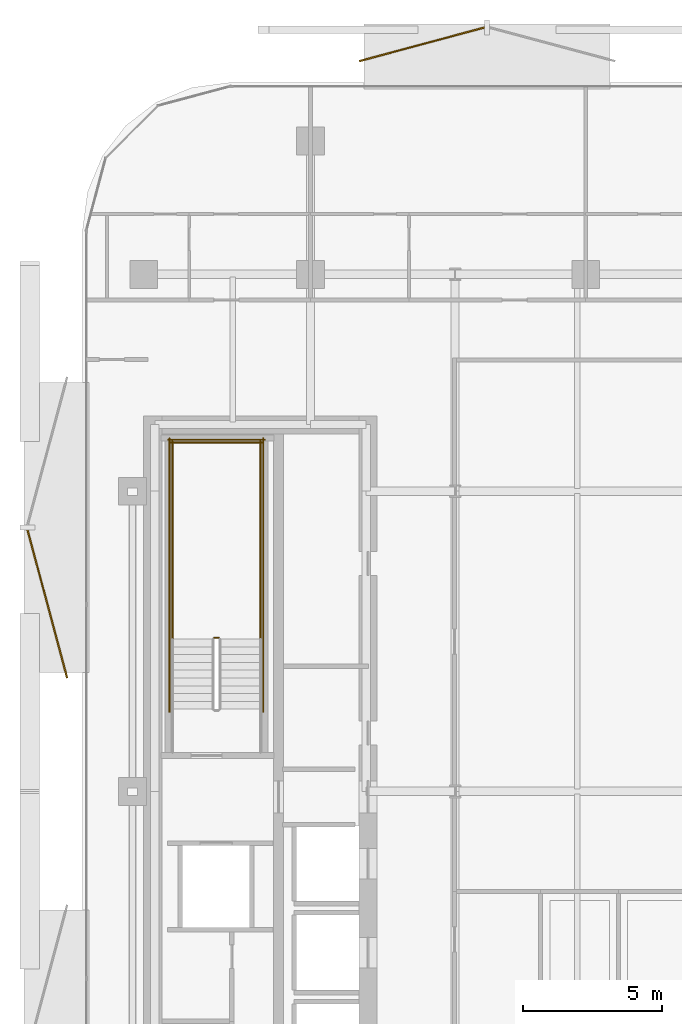
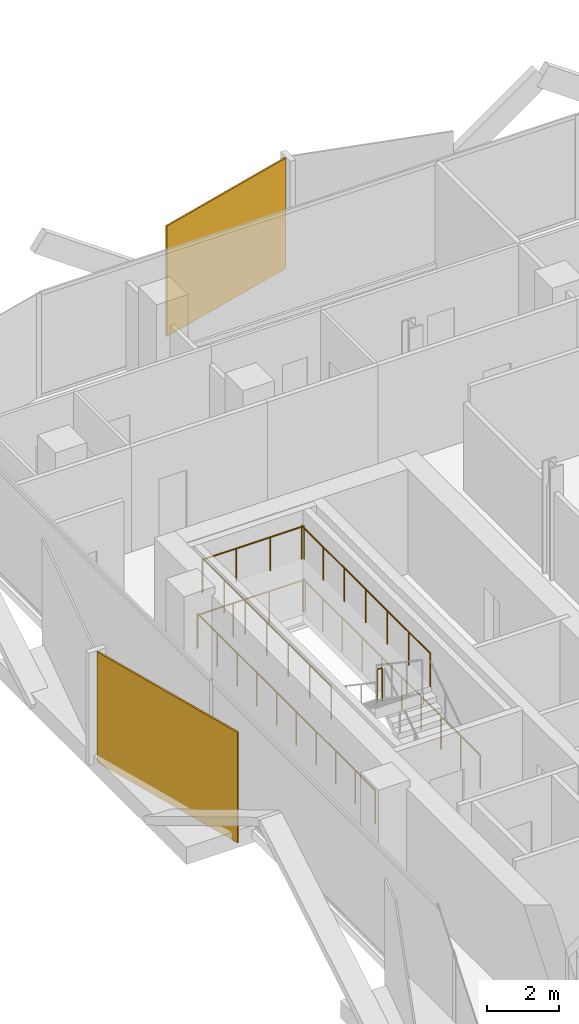
# One storey, part 16 of 17: 7 railings, 2 coverings.
"""IFC4 building model written with IfcOpenShell, lengths in metres."""

from ifc_helpers import new_model, si_unit, direction, frame, origin, origin_2d, place, context, subcontext, project, spatial, rectangle, circle, extrude, material, layer, layer_set, type_object, element, save


model = new_model("IFC4")

# Units and contexts
model_context = context("Model", 3, precision=1e-05, world=origin(), true_north=direction((0.0, 1.0)))
body_context = subcontext(model_context, "Body", "Model", "MODEL_VIEW")
ifc_project = project(units=[si_unit("LENGTHUNIT", "METRE"), si_unit("AREAUNIT", "SQUARE_METRE"), si_unit("VOLUMEUNIT", "CUBIC_METRE"), si_unit("PLANEANGLEUNIT", "RADIAN"), si_unit("MASSUNIT", "GRAM", prefix="KILO")], contexts=[model_context])

# Site, building, storey
site_placement = place(None, origin())
site = spatial("IfcSite", under=ifc_project, at=site_placement, CompositionType="ELEMENT")
building_placement = place(site_placement, origin())
building = spatial("IfcBuilding", under=site, at=building_placement, Name="Khairoan Windgate Tower", CompositionType="ELEMENT")
storey_placement = place(building_placement, frame((0.0, 0.0, 168.800048828125)))
storey = spatial("IfcBuildingStorey", under=building, at=storey_placement, Name="L38", CompositionType="ELEMENT", Elevation=168.800048828125)

# Coverings
ifc_material_1 = material(Name="Anodised Bronze Aluminium 6063-T6", Category="aluminium")
ifc_layer = layer(ifc_material_1, 0.054931640625, Name="Anodised Bronze Aluminium 6063-T6")
ifc_layer_set = layer_set([ifc_layer], Name="Anodised Bronze Aluminium 6063-T6")
covering_type = type_object("IfcCoveringType", Name="Perforated Bronze-Ceramic Folded Solar Screen Cladding BSC-1", PredefinedType="CLADDING", material=ifc_layer_set)
covering_1_placement = place(storey_placement, frame((-23.8671875, 6.74560546875, -0.10009765625), z_axis=(0.0, 0.0, 1.0), x_axis=(-0.258819045103, 0.965925826289, 0.0)))
element("IfcCovering", 1, at=covering_1_placement, inside=storey, type_object=covering_type, Name="L38 Folded Bronze Solar Screen Facet 244L", PredefinedType="CLADDING", context=body_context, shape_type="SweptSolid", body=[
    extrude(rectangle(XDim=5.507080078125, YDim=0.054931640625, at=origin_2d()), origin(), (0.0, 0.0, 1.0), 3.739990234375),
])
covering_2_placement = place(storey_placement, frame((-10.388916015625, 26.876220703125, -0.10009765625), z_axis=(0.0, 0.0, 1.0), x_axis=(0.965925826289, 0.258819045103, 0.0)))
element("IfcCovering", 2, at=covering_2_placement, inside=storey, type_object=covering_type, Name="L38 Folded Bronze Solar Screen Facet 245L", PredefinedType="CLADDING", context=body_context, shape_type="SweptSolid", body=[
    extrude(rectangle(XDim=4.666015625, YDim=0.054931640625, at=origin_2d()), origin(), (0.0, 0.0, 1.0), 3.739990234375),
])

# Railings
ifc_material_2 = material(Name="Steel S355", Category="steel")
railing_type = type_object("IfcRailingType", Name="Stairwell Safety Guardrail SGR-1150", PredefinedType="GUARDRAIL", material=ifc_material_2)
railing_1_placement = place(storey_placement, frame((-17.7099609375, 5.530029296875, 1.89990234375)))
element("IfcRailing", 3, at=railing_1_placement, inside=storey, type_object=railing_type, Name="L38 ST2 stair guard 2", PredefinedType="GUARDRAIL", context=body_context, shape_type="SweptSolid", body=[
    extrude(circle(Radius=0.02392578125, at=origin_2d()), frame((0.0, 0.0, 1.1259765625), z_axis=(-1.0, 0.0, 0.0), x_axis=(0.0, -1.0, 0.0)), (0.0, 0.0, 1.0), 0.150146484375),
    extrude(circle(Radius=0.02099609375, at=origin_2d()), origin(), (0.0, 0.0, 1.0), 1.101806640625),
    extrude(circle(Radius=0.02099609375, at=origin_2d()), frame((-0.150146484375, 0.0, 0.0)), (0.0, 0.0, 1.0), 1.101806640625),
])
for number, where, name in (
    (4, (-16.199951171875, 5.47998046875, 1.89990234375), "L38 ST2 stair guard 3"),
    (5, (-19.3701171875, 5.47998046875, 1.89990234375), "L38 ST2 stair guard 4"),
):
    element("IfcRailing", number, at=place(storey_placement, frame(where)), inside=storey, type_object=railing_type, Name=name, PredefinedType="GUARDRAIL", context=body_context, shape_type="SweptSolid", body=[
        extrude(circle(Radius=0.02392578125, at=origin_2d()), frame((0.0, 0.0, 1.1259765625), z_axis=(0.0, 1.0, 0.0), x_axis=(-1.0, 0.0, 0.0)), (0.0, 0.0, 1.0), 7.1201171875),
        extrude(circle(Radius=0.02099609375, at=origin_2d()), origin(), (0.0, 0.0, 1.0), 1.101806640625),
        extrude(circle(Radius=0.02099609375, at=origin_2d()), frame((0.0, 1.186767578125, 0.0)), (0.0, 0.0, 1.0), 1.101806640625),
        extrude(circle(Radius=0.02099609375, at=origin_2d()), frame((0.0, 2.373291015625, 0.0)), (0.0, 0.0, 1.0), 1.101806640625),
        extrude(circle(Radius=0.02099609375, at=origin_2d()), frame((0.0, 3.56005859375, 0.0)), (0.0, 0.0, 1.0), 1.101806640625),
        extrude(circle(Radius=0.02099609375, at=origin_2d()), frame((0.0, 4.746826171875, 0.0)), (0.0, 0.0, 1.0), 1.101806640625),
        extrude(circle(Radius=0.02099609375, at=origin_2d()), frame((0.0, 5.933349609375, 0.0)), (0.0, 0.0, 1.0), 1.101806640625),
        extrude(circle(Radius=0.02099609375, at=origin_2d()), frame((0.0, 7.1201171875, 0.0)), (0.0, 0.0, 1.0), 1.101806640625),
    ])
railing_2_placement = place(storey_placement, frame((-16.14990234375, 12.550048828125, 1.89990234375)))
element("IfcRailing", 6, at=railing_2_placement, inside=storey, type_object=railing_type, Name="L38 ST2 stair guard 5", PredefinedType="GUARDRAIL", context=body_context, shape_type="SweptSolid", body=[
    extrude(circle(Radius=0.02392578125, at=origin_2d()), frame((0.0, 0.0, 1.1259765625), z_axis=(-1.0, 0.0, 0.0), x_axis=(0.0, -1.0, 0.0)), (0.0, 0.0, 1.0), 3.27001953125),
    extrude(circle(Radius=0.02099609375, at=origin_2d()), origin(), (0.0, 0.0, 1.0), 1.101806640625),
    extrude(circle(Radius=0.02099609375, at=origin_2d()), frame((-1.090087890625, 0.0, 0.0)), (0.0, 0.0, 1.0), 1.101806640625),
    extrude(circle(Radius=0.02099609375, at=origin_2d()), frame((-2.179931640625, 0.0, 0.0)), (0.0, 0.0, 1.0), 1.101806640625),
    extrude(circle(Radius=0.02099609375, at=origin_2d()), frame((-3.27001953125, 0.0, 0.0)), (0.0, 0.0, 1.0), 1.101806640625),
])
for number, where, name in (
    (7, (-16.10009765625, 2.860107421875, 0.0), "L38 ST2 stair guard 10"),
    (8, (-19.469970703125, 2.860107421875, 0.0), "L38 ST2 stair guard 11"),
):
    element("IfcRailing", number, at=place(storey_placement, frame(where)), inside=storey, type_object=railing_type, Name=name, PredefinedType="GUARDRAIL", context=body_context, shape_type="SweptSolid", body=[
        extrude(circle(Radius=0.02392578125, at=origin_2d()), frame((0.0, 0.0, 1.1259765625), z_axis=(0.0, 1.0, 0.0), x_axis=(-1.0, 0.0, 0.0)), (0.0, 0.0, 1.0), 9.83984375),
        extrude(circle(Radius=0.02099609375, at=origin_2d()), origin(), (0.0, 0.0, 1.0), 1.101806640625),
        extrude(circle(Radius=0.02099609375, at=origin_2d()), frame((0.0, 1.09326171875, 0.0)), (0.0, 0.0, 1.0), 1.101806640625),
        extrude(circle(Radius=0.02099609375, at=origin_2d()), frame((0.0, 2.1865234375, 0.0)), (0.0, 0.0, 1.0), 1.101806640625),
        extrude(circle(Radius=0.02099609375, at=origin_2d()), frame((0.0, 3.280029296875, 0.0)), (0.0, 0.0, 1.0), 1.101806640625),
        extrude(circle(Radius=0.02099609375, at=origin_2d()), frame((0.0, 4.373291015625, 0.0)), (0.0, 0.0, 1.0), 1.101806640625),
        extrude(circle(Radius=0.02099609375, at=origin_2d()), frame((0.0, 5.466552734375, 0.0)), (0.0, 0.0, 1.0), 1.101806640625),
        extrude(circle(Radius=0.02099609375, at=origin_2d()), frame((0.0, 6.559814453125, 0.0)), (0.0, 0.0, 1.0), 1.101806640625),
        extrude(circle(Radius=0.02099609375, at=origin_2d()), frame((0.0, 7.6533203125, 0.0)), (0.0, 0.0, 1.0), 1.101806640625),
        extrude(circle(Radius=0.02099609375, at=origin_2d()), frame((0.0, 8.74658203125, 0.0)), (0.0, 0.0, 1.0), 1.101806640625),
        extrude(circle(Radius=0.02099609375, at=origin_2d()), frame((0.0, 9.83984375, 0.0)), (0.0, 0.0, 1.0), 1.101806640625),
    ])
railing_3_placement = place(storey_placement, frame((-16.050048828125, 12.64990234375, 0.0)))
element("IfcRailing", 9, at=railing_3_placement, inside=storey, type_object=railing_type, Name="L38 ST2 stair guard 12", PredefinedType="GUARDRAIL", context=body_context, shape_type="SweptSolid", body=[
    extrude(circle(Radius=0.02392578125, at=origin_2d()), frame((0.0, 0.0, 1.1259765625), z_axis=(-1.0, 0.0, 0.0), x_axis=(0.0, -1.0, 0.0)), (0.0, 0.0, 1.0), 3.469970703125),
    extrude(circle(Radius=0.02099609375, at=origin_2d()), origin(), (0.0, 0.0, 1.0), 1.101806640625),
    extrude(circle(Radius=0.02099609375, at=origin_2d()), frame((-1.15673828125, 0.0, 0.0)), (0.0, 0.0, 1.0), 1.101806640625),
    extrude(circle(Radius=0.02099609375, at=origin_2d()), frame((-2.313232421875, 0.0, 0.0)), (0.0, 0.0, 1.0), 1.101806640625),
    extrude(circle(Radius=0.02099609375, at=origin_2d()), frame((-3.469970703125, 0.0, 0.0)), (0.0, 0.0, 1.0), 1.101806640625),
])

save(model, "model.ifc")
